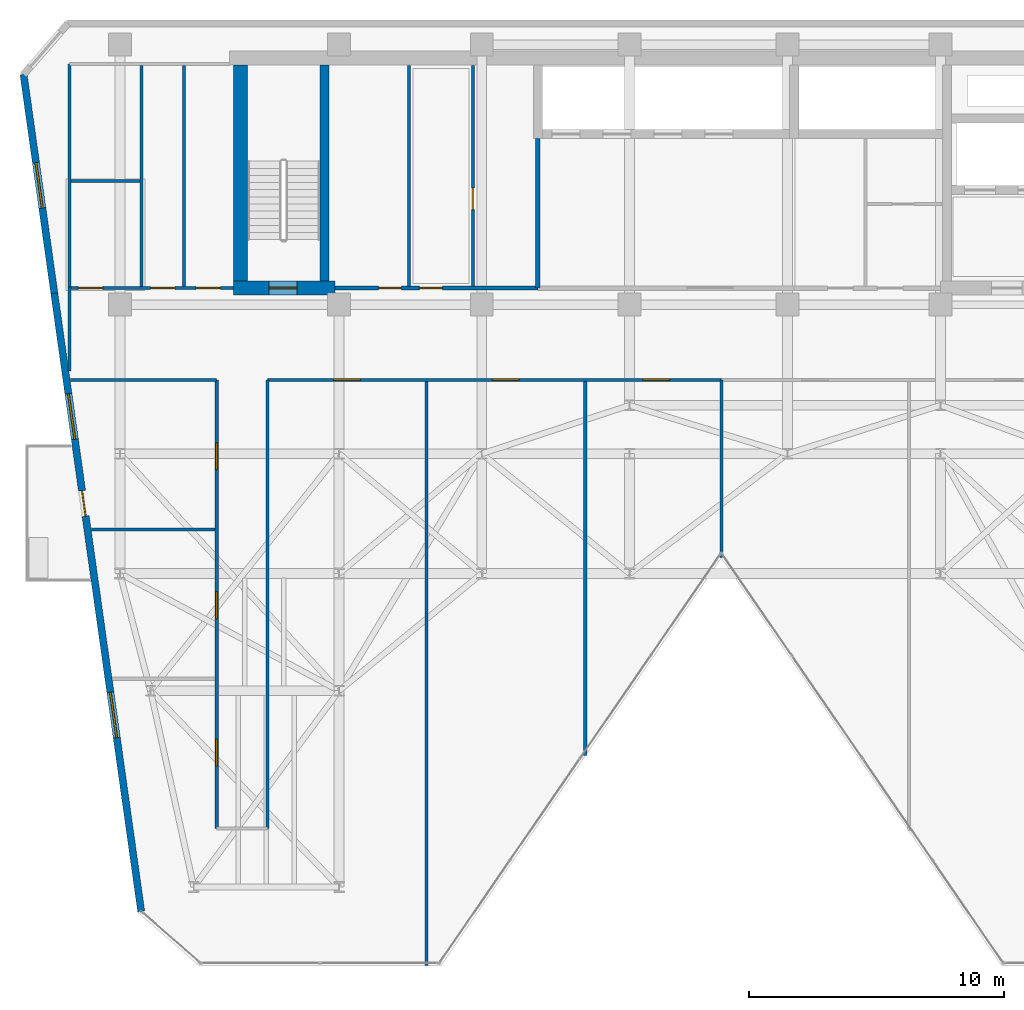
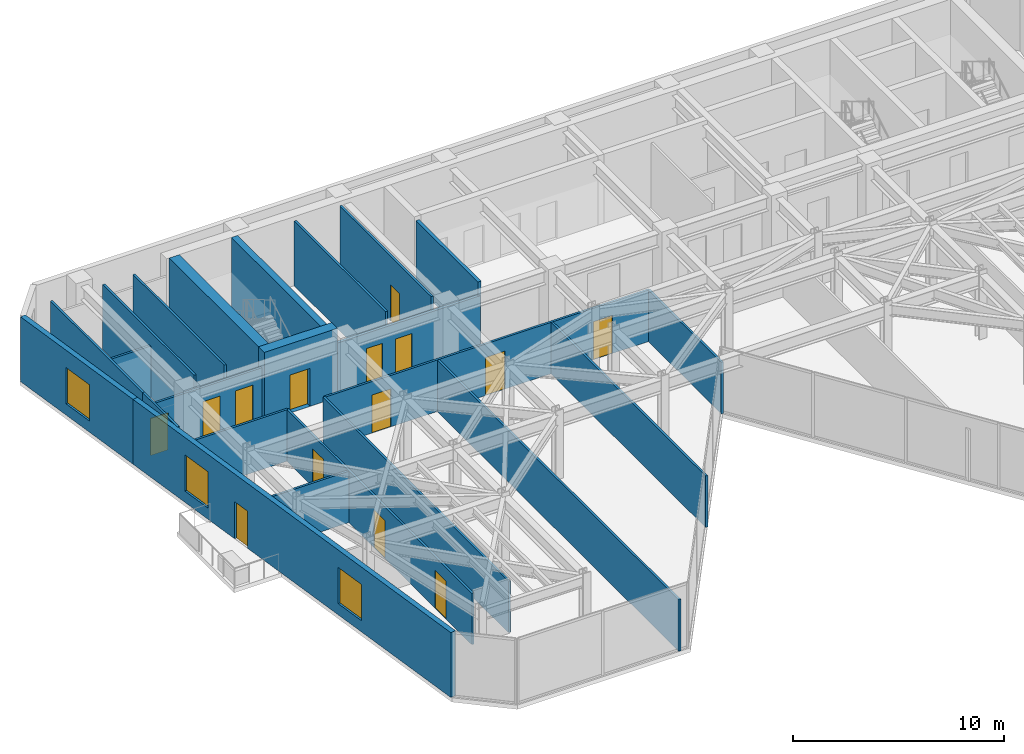
# One storey, part 16 of 21: 23 walls, 14 doors, 3 windows, 17 openings.
"""IFC4 building model written with IfcOpenShell, lengths in metres."""

from ifc_helpers import new_model, si_unit, direction, frame, frame_2d, origin, place, context, subcontext, project, spatial, rectangle, extrude, material, layer, layer_set, type_object, element, fill, save


model = new_model("IFC4")

# Units and contexts
model_context = context("Model", 3, precision=1e-05, world=origin(), true_north=direction((0.0, 1.0)))
body_context = subcontext(model_context, "Body", "Model", "MODEL_VIEW")
ifc_project = project(units=[si_unit("LENGTHUNIT", "METRE"), si_unit("AREAUNIT", "SQUARE_METRE"), si_unit("VOLUMEUNIT", "CUBIC_METRE"), si_unit("PLANEANGLEUNIT", "RADIAN"), si_unit("MASSUNIT", "GRAM", prefix="KILO")], contexts=[model_context])

# Site, building, storey
site_placement = place(None, origin())
site = spatial("IfcSite", under=ifc_project, at=site_placement, CompositionType="ELEMENT")
building_placement = place(site_placement, origin())
building = spatial("IfcBuilding", under=site, at=building_placement, Name="Kravanh Interchange Tower", CompositionType="ELEMENT")
storey_placement = place(building_placement, frame((0.0, 0.0, 192.5)))
storey = spatial("IfcBuildingStorey", under=building, at=storey_placement, Name="L46", CompositionType="ELEMENT", Elevation=192.5)

# Wall
ifc_material_1 = material(Name="Double Acoustic Gypsum Board and Mineral Wool")
ifc_layer_1 = layer(ifc_material_1, 0.1201171875)
ifc_layer_set_1 = layer_set([ifc_layer_1], Name="Acoustic Office Drywall Partition 120mm")
wall_type_1 = type_object("IfcWallType", Name="Acoustic Office Drywall Partition 120mm", PredefinedType="PARTITIONING", material=ifc_layer_set_1)
wall_1_placement = place(storey_placement, frame((29.949951171875, 38.068115234375, 0.0), z_axis=(0.0, 0.0, 1.0), x_axis=(0.0, 1.0, 0.0)))
element("IfcWall", 1, at=wall_1_placement, inside=storey, type_object=wall_type_1, Name="L46 Interior Partition 6", PredefinedType="PARTITIONING", context=body_context, shape_type="SweptSolid", body=[
    extrude(rectangle(XDim=8.673828125, YDim=0.1201171875, at=frame_2d((4.3369140625, 0.0))), origin(), (0.0, 0.0, 1.0), 3.7548828125),
])

# Wall, opening, door
wall_2_placement = place(storey_placement, frame((32.449951171875, 38.068115234375, 0.0), z_axis=(0.0, 0.0, 1.0), x_axis=(0.0, 1.0, 0.0)))
wall_2 = element("IfcWall", 2, at=wall_2_placement, inside=storey, type_object=wall_type_1, Name="L46 Interior Partition 7", PredefinedType="PARTITIONING", context=body_context, shape_type="SweptSolid", body=[
    extrude(rectangle(XDim=8.673828125, YDim=0.1201171875, at=frame_2d((4.3369140625, 0.0))), origin(), (0.0, 0.0, 1.0), 3.7548828125),
])
opening_1_placement = place(wall_2_placement, frame((3.007080078125, 0.0, 0.0)))
opening_1 = element("IfcOpeningElement", 3, at=opening_1_placement, cuts=wall_2, Name="Opening D-85", PredefinedType="OPENING", context=body_context, shape_type="SweptSolid", body=[
    extrude(rectangle(XDim=0.85009765625, YDim=2.10009765625, at=frame_2d((0.425048828125, 1.050048828125))), frame((0.0, 0.070068359375, 0.0), z_axis=(0.0, -1.0, 0.0), x_axis=(1.0, 0.0, 0.0)), (0.0, 0.0, 1.0), 0.14013671875),
])
ifc_material_2 = material(Name="Engineered Teak Veneer Timber", Category="wood")
door_type_1 = type_object("IfcDoorType", Name="En-Suite Timber Door 850x2100", OperationType="NOTDEFINED", PredefinedType="DOOR", material=ifc_material_2)
door_1_placement = place(opening_1_placement, origin())
door_1 = element("IfcDoor", 4, at=door_1_placement, inside=storey, type_object=door_type_1, Name="L46 Supply Room Inner Door", OperationType="SINGLE_SWING_LEFT", OverallHeight=2.10009765625, OverallWidth=0.85009765625, PredefinedType="DOOR", context=body_context, shape_type="SweptSolid", body=[
    extrude(rectangle(XDim=0.85009765625, YDim=2.10009765625, at=frame_2d((0.425048828125, 1.050048828125))), frame((0.0, 0.02490234375, 0.0), z_axis=(0.0, -1.0, 0.0), x_axis=(1.0, 0.0, 0.0)), (0.0, 0.0, 1.0), 0.050048828125),
])
fill(opening_1, door_1)

# Wall, openings, doors
wall_3_placement = place(storey_placement, frame((16.6201171875, 38.0, 0.0), z_axis=(0.0, 0.0, 1.0), x_axis=(1.0, 0.0, 0.0)))
wall_3 = element("IfcWall", 5, at=wall_3_placement, inside=storey, type_object=wall_type_1, Name="L46 Restroom Corridor Wall 9", PredefinedType="PARTITIONING", context=body_context, shape_type="SweptSolid", body=[
    extrude(rectangle(XDim=6.429931640625, YDim=0.1201171875, at=frame_2d((3.21484375, 0.0))), origin(), (0.0, 0.0, 1.0), 2.98193359375),
])
opening_2_placement = place(wall_3_placement, frame((0.348876953125, 0.0, 0.0)))
opening_2 = element("IfcOpeningElement", 6, at=opening_2_placement, cuts=wall_3, Name="Opening D-95", PredefinedType="OPENING", context=body_context, shape_type="SweptSolid", body=[
    extrude(rectangle(XDim=0.949951171875, YDim=2.14990234375, at=frame_2d((0.47509765625, 1.074951171875))), frame((0.0, 0.070068359375, 0.0), z_axis=(0.0, -1.0, 0.0), x_axis=(1.0, 0.0, 0.0)), (0.0, 0.0, 1.0), 0.14013671875),
])
opening_3_placement = place(wall_3_placement, frame((3.18505859375, 0.0, 0.0)))
opening_3 = element("IfcOpeningElement", 7, at=opening_3_placement, cuts=wall_3, Name="Opening D-95", PredefinedType="OPENING", context=body_context, shape_type="SweptSolid", body=[
    extrude(rectangle(XDim=0.949951171875, YDim=2.14990234375, at=frame_2d((0.47509765625, 1.074951171875))), frame((0.0, 0.070068359375, 0.0), z_axis=(0.0, -1.0, 0.0), x_axis=(1.0, 0.0, 0.0)), (0.0, 0.0, 1.0), 0.14013671875),
])
opening_4_placement = place(wall_3_placement, frame((4.97509765625, 0.0, 0.0)))
opening_4 = element("IfcOpeningElement", 8, at=opening_4_placement, cuts=wall_3, Name="Opening D-95", PredefinedType="OPENING", context=body_context, shape_type="SweptSolid", body=[
    extrude(rectangle(XDim=0.949951171875, YDim=2.14990234375, at=frame_2d((0.47509765625, 1.074951171875))), frame((0.0, 0.070068359375, 0.0), z_axis=(0.0, -1.0, 0.0), x_axis=(1.0, 0.0, 0.0)), (0.0, 0.0, 1.0), 0.14013671875),
])
ifc_material_3 = material(Name="Laminate Solid-Core Timber", Category="wood")
door_type_2 = type_object("IfcDoorType", Name="Accessible Restroom Door 950x2150", OperationType="NOTDEFINED", PredefinedType="DOOR", material=ifc_material_3)
door_2_placement = place(opening_2_placement, origin())
door_2 = element("IfcDoor", 9, at=door_2_placement, inside=storey, type_object=door_type_2, Name="L46 Accessible WC Door", OperationType="SINGLE_SWING_RIGHT", OverallHeight=2.14990234375, OverallWidth=0.949951171875, PredefinedType="DOOR", context=body_context, shape_type="SweptSolid", body=[
    extrude(rectangle(XDim=0.949951171875, YDim=2.14990234375, at=frame_2d((0.47509765625, 1.074951171875))), frame((0.0, 0.02490234375, 0.0), z_axis=(0.0, -1.0, 0.0), x_axis=(1.0, 0.0, 0.0)), (0.0, 0.0, 1.0), 0.050048828125),
])
fill(opening_2, door_2)
door_3_placement = place(opening_3_placement, origin())
door_3 = element("IfcDoor", 10, at=door_3_placement, inside=storey, type_object=door_type_2, Name="L46 Female WC Door", OperationType="SINGLE_SWING_LEFT", OverallHeight=2.14990234375, OverallWidth=0.949951171875, PredefinedType="DOOR", context=body_context, shape_type="SweptSolid", body=[
    extrude(rectangle(XDim=0.949951171875, YDim=2.14990234375, at=frame_2d((0.47509765625, 1.074951171875))), frame((0.0, 0.02490234375, 0.0), z_axis=(0.0, -1.0, 0.0), x_axis=(1.0, 0.0, 0.0)), (0.0, 0.0, 1.0), 0.050048828125),
])
fill(opening_3, door_3)
door_4_placement = place(opening_4_placement, origin())
door_4 = element("IfcDoor", 11, at=door_4_placement, inside=storey, type_object=door_type_2, Name="L46 Male WC Door", OperationType="SINGLE_SWING_RIGHT", OverallHeight=2.14990234375, OverallWidth=0.949951171875, PredefinedType="DOOR", context=body_context, shape_type="SweptSolid", body=[
    extrude(rectangle(XDim=0.949951171875, YDim=2.14990234375, at=frame_2d((0.47509765625, 1.074951171875))), frame((0.0, 0.02490234375, 0.0), z_axis=(0.0, -1.0, 0.0), x_axis=(1.0, 0.0, 0.0)), (0.0, 0.0, 1.0), 0.050048828125),
])
fill(opening_4, door_4)

# Walls
wall_4_placement = place(storey_placement, frame((16.6201171875, 38.0, 0.0), z_axis=(0.0, 0.0, 1.0), x_axis=(0.0, 1.0, 0.0)))
element("IfcWall", 12, at=wall_4_placement, inside=storey, type_object=wall_type_1, Name="L46 Restroom West Enclosure 10", PredefinedType="PARTITIONING", context=body_context, shape_type="SweptSolid", body=[
    extrude(rectangle(XDim=8.800048828125, YDim=0.1201171875, at=frame_2d((4.39990234375, 0.0))), origin(), (0.0, 0.0, 1.0), 3.7548828125),
])
for number, where, z_axis, x_axis, name in (
    (13, (19.449951171875, 38.068115234375, 0.0), (0.0, 0.0, 1.0), (0.0, 1.0, 0.0), "L46 Interior Partition 12"),
    (14, (21.110107421875, 38.068115234375, 0.0), (0.0, 0.0, 1.0), (0.0, 1.0, 0.0), "L46 Interior Partition 13"),
):
    element("IfcWall", number, at=place(storey_placement, frame(where, z_axis=z_axis, x_axis=x_axis)), inside=storey, type_object=wall_type_1, Name=name, PredefinedType="PARTITIONING", context=body_context, shape_type="SweptSolid", body=[
        extrude(rectangle(XDim=8.663818359375, YDim=0.1201171875, at=frame_2d((4.33203125, 0.0))), origin(), (0.0, 0.0, 1.0), 3.7548828125),
    ])
wall_5_placement = place(storey_placement, frame((16.68798828125, 42.199951171875, 0.0), z_axis=(0.0, 0.0, 1.0), x_axis=(1.0, 0.0, 0.0)))
element("IfcWall", 15, at=wall_5_placement, inside=storey, type_object=wall_type_1, Name="L46 Interior Partition 14", PredefinedType="PARTITIONING", context=body_context, shape_type="SweptSolid", body=[
    extrude(rectangle(XDim=2.694091796875, YDim=0.1201171875, at=frame_2d((1.34716796875, 0.0))), origin(), (0.0, 0.0, 1.0), 2.98193359375),
])
wall_6_placement = place(storey_placement, frame((16.66943359375, 34.39990234375, 0.0), z_axis=(0.0, 0.0, 1.0), x_axis=(1.0, 0.0, 0.0)))
element("IfcWall", 16, at=wall_6_placement, inside=storey, type_object=wall_type_1, Name="L46 Interior Partition 15", PredefinedType="PARTITIONING", context=body_context, shape_type="SweptSolid", body=[
    extrude(rectangle(XDim=5.73046875, YDim=0.1201171875, at=frame_2d((2.865234375, 0.0))), origin(), (0.0, 0.0, 1.0), 2.98193359375),
])

# Wall, openings, doors
wall_7_placement = place(storey_placement, frame((24.39990234375, 34.39990234375, 0.0), z_axis=(0.0, 0.0, 1.0), x_axis=(1.0, 0.0, 0.0)))
wall_7 = element("IfcWall", 17, at=wall_7_placement, inside=storey, type_object=wall_type_1, Name="L46 Interior Partition 16", PredefinedType="PARTITIONING", context=body_context, shape_type="SweptSolid", body=[
    extrude(rectangle(XDim=17.800048828125, YDim=0.1201171875, at=frame_2d((8.89990234375, 0.0))), origin(), (0.0, 0.0, 1.0), 2.98193359375),
])
opening_5_placement = place(wall_7_placement, frame((2.590087890625, 0.0, 0.0)))
opening_5 = element("IfcOpeningElement", 18, at=opening_5_placement, cuts=wall_7, Name="Opening D-105", PredefinedType="OPENING", context=body_context, shape_type="SweptSolid", body=[
    extrude(rectangle(XDim=1.050048828125, YDim=2.199951171875, at=frame_2d((0.52490234375, 1.10009765625))), frame((0.0, 0.070068359375, 0.0), z_axis=(0.0, -1.0, 0.0), x_axis=(1.0, 0.0, 0.0)), (0.0, 0.0, 1.0), 0.14013671875),
])
opening_6_placement = place(wall_7_placement, frame((8.820068359375, 0.0, 0.0)))
opening_6 = element("IfcOpeningElement", 19, at=opening_6_placement, cuts=wall_7, Name="Opening D-105", PredefinedType="OPENING", context=body_context, shape_type="SweptSolid", body=[
    extrude(rectangle(XDim=1.050048828125, YDim=2.199951171875, at=frame_2d((0.52490234375, 1.10009765625))), frame((0.0, 0.070068359375, 0.0), z_axis=(0.0, -1.0, 0.0), x_axis=(1.0, 0.0, 0.0)), (0.0, 0.0, 1.0), 0.14013671875),
])
opening_7_placement = place(wall_7_placement, frame((14.72607421875, 0.0, 0.0)))
opening_7 = element("IfcOpeningElement", 20, at=opening_7_placement, cuts=wall_7, Name="Opening D-105", PredefinedType="OPENING", context=body_context, shape_type="SweptSolid", body=[
    extrude(rectangle(XDim=1.050048828125, YDim=2.199951171875, at=frame_2d((0.52490234375, 1.10009765625))), frame((0.0, 0.070068359375, 0.0), z_axis=(0.0, -1.0, 0.0), x_axis=(1.0, 0.0, 0.0)), (0.0, 0.0, 1.0), 0.14013671875),
])
ifc_material_4 = material(Name="Acoustic Glazed Oak and Aluminium", Category="aluminium")
door_type_3 = type_object("IfcDoorType", Name="Office Workplace Door 1050x2200", OperationType="NOTDEFINED", PredefinedType="DOOR", material=ifc_material_4)
door_5_placement = place(opening_5_placement, origin())
door_5 = element("IfcDoor", 21, at=door_5_placement, inside=storey, type_object=door_type_3, Name="L46 Meeting Room 11A Door", OperationType="SINGLE_SWING_RIGHT", OverallHeight=2.199951171875, OverallWidth=1.050048828125, PredefinedType="DOOR", context=body_context, shape_type="SweptSolid", body=[
    extrude(rectangle(XDim=1.050048828125, YDim=2.199951171875, at=frame_2d((0.52490234375, 1.10009765625))), frame((0.0, 0.02490234375, 0.0), z_axis=(0.0, -1.0, 0.0), x_axis=(1.0, 0.0, 0.0)), (0.0, 0.0, 1.0), 0.050048828125),
])
fill(opening_5, door_5)
door_6_placement = place(opening_6_placement, origin())
door_6 = element("IfcDoor", 22, at=door_6_placement, inside=storey, type_object=door_type_3, Name="L46 Meeting Room 11B Door", OperationType="SINGLE_SWING_LEFT", OverallHeight=2.199951171875, OverallWidth=1.050048828125, PredefinedType="DOOR", context=body_context, shape_type="SweptSolid", body=[
    extrude(rectangle(XDim=1.050048828125, YDim=2.199951171875, at=frame_2d((0.52490234375, 1.10009765625))), frame((0.0, 0.02490234375, 0.0), z_axis=(0.0, -1.0, 0.0), x_axis=(1.0, 0.0, 0.0)), (0.0, 0.0, 1.0), 0.050048828125),
])
fill(opening_6, door_6)
door_7_placement = place(opening_7_placement, origin())
door_7 = element("IfcDoor", 23, at=door_7_placement, inside=storey, type_object=door_type_3, Name="L46 Townhall Lounge 11A Door", OperationType="SINGLE_SWING_RIGHT", OverallHeight=2.199951171875, OverallWidth=1.050048828125, PredefinedType="DOOR", context=body_context, shape_type="SweptSolid", body=[
    extrude(rectangle(XDim=1.050048828125, YDim=2.199951171875, at=frame_2d((0.52490234375, 1.10009765625))), frame((0.0, 0.02490234375, 0.0), z_axis=(0.0, -1.0, 0.0), x_axis=(1.0, 0.0, 0.0)), (0.0, 0.0, 1.0), 0.050048828125),
])
fill(opening_7, door_7)

# Wall
wall_8_placement = place(storey_placement, frame((16.6201171875, 34.751953125, 0.0), z_axis=(0.0, 0.0, 1.0), x_axis=(0.0, 1.0, 0.0)))
element("IfcWall", 24, at=wall_8_placement, inside=storey, type_object=wall_type_1, Name="L46 Interior Partition 18", PredefinedType="PARTITIONING", context=body_context, shape_type="SweptSolid", body=[
    extrude(rectangle(XDim=3.298095703125, YDim=0.1201171875, at=frame_2d((1.64892578125, 0.0))), origin(), (0.0, 0.0, 1.0), 3.7548828125),
])

# Wall, openings, doors
wall_9_placement = place(storey_placement, frame((22.39990234375, 16.800048828125, 0.0), z_axis=(0.0, 0.0, 1.0), x_axis=(0.0, 1.0, 0.0)))
wall_9 = element("IfcWall", 25, at=wall_9_placement, inside=storey, type_object=wall_type_1, Name="L46 Interior Partition 20", PredefinedType="PARTITIONING", context=body_context, shape_type="SweptSolid", body=[
    extrude(rectangle(XDim=17.599853515625, YDim=0.1201171875, at=frame_2d((8.7998046875, 0.0))), origin(), (0.0, 0.0, 1.0), 2.98193359375),
])
opening_8_placement = place(wall_9_placement, frame((2.450439453125, 0.0, 0.0)))
opening_8 = element("IfcOpeningElement", 26, at=opening_8_placement, cuts=wall_9, Name="Opening D-105", PredefinedType="OPENING", context=body_context, shape_type="SweptSolid", body=[
    extrude(rectangle(XDim=1.050048828125, YDim=2.199951171875, at=frame_2d((0.52490234375, 1.10009765625))), frame((0.0, 0.070068359375, 0.0), z_axis=(0.0, -1.0, 0.0), x_axis=(1.0, 0.0, 0.0)), (0.0, 0.0, 1.0), 0.14013671875),
])
opening_9_placement = place(wall_9_placement, frame((8.234619140625, 0.0, 0.0)))
opening_9 = element("IfcOpeningElement", 27, at=opening_9_placement, cuts=wall_9, Name="Opening D-105", PredefinedType="OPENING", context=body_context, shape_type="SweptSolid", body=[
    extrude(rectangle(XDim=1.050048828125, YDim=2.199951171875, at=frame_2d((0.52490234375, 1.10009765625))), frame((0.0, 0.070068359375, 0.0), z_axis=(0.0, -1.0, 0.0), x_axis=(1.0, 0.0, 0.0)), (0.0, 0.0, 1.0), 0.14013671875),
])
opening_10_placement = place(wall_9_placement, frame((14.074951171875, 0.0, 0.0)))
opening_10 = element("IfcOpeningElement", 28, at=opening_10_placement, cuts=wall_9, Name="Opening D-105", PredefinedType="OPENING", context=body_context, shape_type="SweptSolid", body=[
    extrude(rectangle(XDim=1.050048828125, YDim=2.199951171875, at=frame_2d((0.52490234375, 1.10009765625))), frame((0.0, 0.070068359375, 0.0), z_axis=(0.0, -1.0, 0.0), x_axis=(1.0, 0.0, 0.0)), (0.0, 0.0, 1.0), 0.14013671875),
])
door_8_placement = place(opening_8_placement, origin())
door_8 = element("IfcDoor", 29, at=door_8_placement, inside=storey, type_object=door_type_3, Name="L46 SW Seminar Meeting 11E Door", OperationType="SINGLE_SWING_LEFT", OverallHeight=2.199951171875, OverallWidth=1.050048828125, PredefinedType="DOOR", context=body_context, shape_type="SweptSolid", body=[
    extrude(rectangle(XDim=1.050048828125, YDim=2.199951171875, at=frame_2d((0.52490234375, 1.10009765625))), frame((0.0, 0.02490234375, 0.0), z_axis=(0.0, -1.0, 0.0), x_axis=(1.0, 0.0, 0.0)), (0.0, 0.0, 1.0), 0.050048828125),
])
fill(opening_8, door_8)
door_9_placement = place(opening_9_placement, origin())
door_9 = element("IfcDoor", 30, at=door_9_placement, inside=storey, type_object=door_type_3, Name="L46 West Boardroom 11F Door", OperationType="SINGLE_SWING_RIGHT", OverallHeight=2.199951171875, OverallWidth=1.050048828125, PredefinedType="DOOR", context=body_context, shape_type="SweptSolid", body=[
    extrude(rectangle(XDim=1.050048828125, YDim=2.199951171875, at=frame_2d((0.52490234375, 1.10009765625))), frame((0.0, 0.02490234375, 0.0), z_axis=(0.0, -1.0, 0.0), x_axis=(1.0, 0.0, 0.0)), (0.0, 0.0, 1.0), 0.050048828125),
])
fill(opening_9, door_9)
door_10_placement = place(opening_10_placement, origin())
door_10 = element("IfcDoor", 31, at=door_10_placement, inside=storey, type_object=door_type_3, Name="L46 Tea Kitchenette Door", OperationType="SINGLE_SWING_LEFT", OverallHeight=2.199951171875, OverallWidth=1.050048828125, PredefinedType="DOOR", context=body_context, shape_type="SweptSolid", body=[
    extrude(rectangle(XDim=1.050048828125, YDim=2.199951171875, at=frame_2d((0.52490234375, 1.10009765625))), frame((0.0, 0.02490234375, 0.0), z_axis=(0.0, -1.0, 0.0), x_axis=(1.0, 0.0, 0.0)), (0.0, 0.0, 1.0), 0.050048828125),
])
fill(opening_10, door_10)

# Walls
wall_10_placement = place(storey_placement, frame((24.39990234375, 16.800048828125, 0.0), z_axis=(0.0, 0.0, 1.0), x_axis=(0.0, 1.0, 0.0)))
element("IfcWall", 32, at=wall_10_placement, inside=storey, type_object=wall_type_1, Name="L46 Interior Partition 21", PredefinedType="PARTITIONING", context=body_context, shape_type="SweptSolid", body=[
    extrude(rectangle(XDim=17.599853515625, YDim=0.1201171875, at=frame_2d((8.7998046875, 0.0))), origin(), (0.0, 0.0, 1.0), 2.98193359375),
])
wall_11_placement = place(storey_placement, frame((17.494384765625, 28.530029296875, 0.0), z_axis=(0.0, 0.0, 1.0), x_axis=(1.0, 0.0, 0.0)))
element("IfcWall", 33, at=wall_11_placement, inside=storey, type_object=wall_type_1, Name="L46 Interior Partition 24", PredefinedType="PARTITIONING", context=body_context, shape_type="SweptSolid", body=[
    extrude(rectangle(XDim=4.837646484375, YDim=0.1201171875, at=frame_2d((2.4189453125, 0.0))), origin(), (0.0, 0.0, 1.0), 2.98193359375),
])
wall_12_placement = place(storey_placement, frame((42.199951171875, 27.426513671875, 0.0), z_axis=(0.0, 0.0, 1.0), x_axis=(0.0, 1.0, 0.0)))
element("IfcWall", 34, at=wall_12_placement, inside=storey, type_object=wall_type_1, Name="L46 Interior Partition 25", PredefinedType="PARTITIONING", context=body_context, shape_type="SweptSolid", body=[
    extrude(rectangle(XDim=6.973388671875, YDim=0.1201171875, at=frame_2d((3.48681640625, 0.0))), origin(), (0.0, 0.0, 1.0), 2.98193359375),
])
wall_13_placement = place(storey_placement, frame((30.6298828125, 11.4150390625, 0.0), z_axis=(0.0, 0.0, 1.0), x_axis=(0.0, 1.0, 0.0)))
element("IfcWall", 35, at=wall_13_placement, inside=storey, type_object=wall_type_1, Name="L46 Interior Partition 26", PredefinedType="PARTITIONING", context=body_context, shape_type="SweptSolid", body=[
    extrude(rectangle(XDim=22.9169921875, YDim=0.1201171875, at=frame_2d((11.45849609375, 0.0))), origin(), (0.0, 0.0, 1.0), 2.98193359375),
])
wall_14_placement = place(storey_placement, frame((36.860107421875, 19.6591796875, 0.0), z_axis=(0.0, 0.0, 1.0), x_axis=(0.0, 1.0, 0.0)))
element("IfcWall", 36, at=wall_14_placement, inside=storey, type_object=wall_type_1, Name="L46 Interior Partition 27", PredefinedType="PARTITIONING", context=body_context, shape_type="SweptSolid", body=[
    extrude(rectangle(XDim=14.6728515625, YDim=0.1201171875, at=frame_2d((7.33642578125, 0.0))), origin(), (0.0, 0.0, 1.0), 2.98193359375),
])
ifc_material_5 = material(Name="Concrete C60/75", Category="concrete")
ifc_layer_2 = layer(ifc_material_5, 0.35009765625)
ifc_layer_set_2 = layer_set([ifc_layer_2], Name="Core Shear Wall Concrete C60/75 350mm")
wall_type_2 = type_object("IfcWallType", Name="Core Shear Wall Concrete C60/75 350mm", PredefinedType="SHEAR", material=ifc_layer_set_2)
wall_15_placement = place(storey_placement, frame((26.625, 38.27490234375, 0.0), z_axis=(0.0, 0.0, 1.0), x_axis=(0.0, 1.0, 0.0)))
element("IfcWall", 37, at=wall_15_placement, inside=storey, type_object=wall_type_2, Name="L46 Stair ST3 East Shear Wall", PredefinedType="SHEAR", context=body_context, shape_type="SweptSolid", body=[
    extrude(rectangle(XDim=8.47509765625, YDim=0.35009765625, at=frame_2d((4.237548828125, 0.0))), origin(), (0.0, 0.0, 1.0), 4.0),
])

# Wall, opening, door
ifc_material_6 = material(Name="Concrete C70/85", Category="concrete")
ifc_layer_3 = layer(ifc_material_6, 0.550048828125)
ifc_layer_set_3 = layer_set([ifc_layer_3], Name="Core Shear Wall Concrete C70/85 550mm")
wall_type_3 = type_object("IfcWallType", Name="Core Shear Wall Concrete C70/85 550mm", PredefinedType="SHEAR", material=ifc_layer_set_3)
wall_16_placement = place(storey_placement, frame((23.050048828125, 38.0, 0.0), z_axis=(0.0, 0.0, 1.0), x_axis=(1.0, 0.0, 0.0)))
wall_16 = element("IfcWall", 38, at=wall_16_placement, inside=storey, type_object=wall_type_3, Name="L46 Stair ST3 South Shear Wall", PredefinedType="SHEAR", context=body_context, shape_type="SweptSolid", body=[
    extrude(rectangle(XDim=4.0, YDim=0.550048828125, at=frame_2d((2.0, 0.0))), origin(), (0.0, 0.0, 1.0), 4.0),
])
opening_11_placement = place(wall_16_placement, frame((1.39990234375, 0.0, 0.0)))
opening_11 = element("IfcOpeningElement", 39, at=opening_11_placement, cuts=wall_16, Name="Opening D-STAIR-110", PredefinedType="OPENING", context=body_context, shape_type="SweptSolid", body=[
    extrude(rectangle(XDim=1.10009765625, YDim=2.199951171875, at=frame_2d((0.550048828125, 1.10009765625))), frame((0.0, 0.28515625, 0.0), z_axis=(0.0, -1.0, 0.0), x_axis=(1.0, 0.0, 0.0)), (0.0, 0.0, 1.0), 0.570068359375),
])
ifc_material_7 = material(Name="Structural Steel S355", Category="steel")
door_type_4 = type_object("IfcDoorType", Name="Fire-Rated Exit Stair Door 1100x2200", OperationType="NOTDEFINED", PredefinedType="DOOR", material=ifc_material_7)
door_11_placement = place(opening_11_placement, origin())
door_11 = element("IfcDoor", 40, at=door_11_placement, inside=storey, type_object=door_type_4, Name="L46 Exit Stair ST3 Door", OperationType="SINGLE_SWING_RIGHT", OverallHeight=2.199951171875, OverallWidth=1.10009765625, PredefinedType="DOOR", context=body_context, shape_type="SweptSolid", body=[
    extrude(rectangle(XDim=1.10009765625, YDim=2.199951171875, at=frame_2d((0.550048828125, 1.10009765625))), frame((0.0, 0.02490234375, 0.0), z_axis=(0.0, -1.0, 0.0), x_axis=(1.0, 0.0, 0.0)), (0.0, 0.0, 1.0), 0.050048828125),
])
fill(opening_11, door_11)

# Wall
wall_17_placement = place(storey_placement, frame((23.324951171875, 38.27490234375, 0.0), z_axis=(0.0, 0.0, 1.0), x_axis=(0.0, 1.0, 0.0)))
element("IfcWall", 41, at=wall_17_placement, inside=storey, type_object=wall_type_3, Name="L46 Stair ST3 West Shear Wall", PredefinedType="SHEAR", context=body_context, shape_type="SweptSolid", body=[
    extrude(rectangle(XDim=8.47509765625, YDim=0.550048828125, at=frame_2d((4.237548828125, 0.0))), origin(), (0.0, 0.0, 1.0), 4.0),
])

# Wall, openings, door, windows
ifc_material_8 = material(Name="Insulated Precast Concrete C40/50 with Bronze Cladding", Category="concrete")
ifc_layer_4 = layer(ifc_material_8, 0.280029296875)
ifc_layer_set_4 = layer_set([ifc_layer_4], Name="Exterior Insulated Concrete C40/50 Bronze Spandrel Wall 280mm")
wall_type_4 = type_object("IfcWallType", Name="Exterior Insulated Concrete C40/50 Bronze Spandrel Wall 280mm", PredefinedType="STANDARD", material=ifc_layer_set_4)
wall_18_placement = place(storey_placement, frame((19.434326171875, 13.540771484375, 0.0), z_axis=(0.0, 0.0, 1.0), x_axis=(-0.139173290738, 0.99026804207, 0.0)))
wall_18 = element("IfcWall", 42, at=wall_18_placement, inside=storey, type_object=wall_type_4, Name="L46 Exterior Wall 1", PredefinedType="STANDARD", context=body_context, shape_type="SweptSolid", body=[
    extrude(rectangle(XDim=24.497802734375, YDim=0.280029296875, at=frame_2d((12.2490234375, 0.0))), origin(), (0.0, 0.0, 1.0), 3.7548828125),
])
opening_12_placement = place(wall_18_placement, frame((15.668212890625, 0.0, 0.0)))
opening_12 = element("IfcOpeningElement", 43, at=opening_12_placement, cuts=wall_18, Name="Opening ED-BAL100", PredefinedType="OPENING", context=body_context, shape_type="SweptSolid", body=[
    extrude(rectangle(XDim=1.0, YDim=2.14990234375, at=frame_2d((0.5, 1.074951171875))), frame((0.0, 0.14990234375, 0.0), z_axis=(0.0, -1.0, 0.0), x_axis=(1.0, 0.0, 0.0)), (0.0, 0.0, 1.0), 0.300048828125),
])
opening_13_placement = place(wall_18_placement, frame((6.88525390625, 0.0, 0.64990234375)))
opening_13 = element("IfcOpeningElement", 44, at=opening_13_placement, cuts=wall_18, Name="Opening WN-180X210", PredefinedType="OPENING", context=body_context, shape_type="SweptSolid", body=[
    extrude(rectangle(XDim=1.800048828125, YDim=2.10009765625, at=frame_2d((0.89990234375, 1.050048828125))), frame((0.0, 0.14990234375, 0.0), z_axis=(0.0, -1.0, 0.0), x_axis=(1.0, 0.0, 0.0)), (0.0, 0.0, 1.0), 0.300048828125),
])
opening_14_placement = place(wall_18_placement, frame((18.7080078125, 0.0, 0.64990234375)))
opening_14 = element("IfcOpeningElement", 45, at=opening_14_placement, cuts=wall_18, Name="Opening WN-180X210", PredefinedType="OPENING", context=body_context, shape_type="SweptSolid", body=[
    extrude(rectangle(XDim=1.800048828125, YDim=2.10009765625, at=frame_2d((0.89990234375, 1.050048828125))), frame((0.0, 0.14990234375, 0.0), z_axis=(0.0, -1.0, 0.0), x_axis=(1.0, 0.0, 0.0)), (0.0, 0.0, 1.0), 0.300048828125),
])
ifc_material_9 = material(Name="Thermally Broken Bronze Aluminium and Laminated Glass", Category="aluminium")
door_type_5 = type_object("IfcDoorType", Name="Balcony Glazed Door 1000x2150", OperationType="NOTDEFINED", PredefinedType="DOOR", material=ifc_material_9)
door_12_placement = place(opening_12_placement, origin())
door_12 = element("IfcDoor", 46, at=door_12_placement, inside=storey, type_object=door_type_5, Name="L46 W Tree Balcony Access Door", OperationType="SINGLE_SWING_LEFT", OverallHeight=2.14990234375, OverallWidth=1.0, PredefinedType="DOOR", context=body_context, shape_type="SweptSolid", body=[
    extrude(rectangle(XDim=1.0, YDim=2.14990234375, at=frame_2d((0.5, 1.074951171875))), frame((0.0, 0.02490234375, 0.0), z_axis=(0.0, -1.0, 0.0), x_axis=(1.0, 0.0, 0.0)), (0.0, 0.0, 1.0), 0.050048828125),
])
fill(opening_12, door_12)
ifc_material_10 = material(Name="Thermally Broken Bronze Aluminium and Low-E Glass", Category="aluminium")
window_type = type_object("IfcWindowType", Name="Tower Pier Window 1800x2100", PartitioningType="SINGLE_PANEL", PredefinedType="WINDOW", material=ifc_material_10)
window_1_placement = place(opening_13_placement, origin())
window_1 = element("IfcWindow", 47, at=window_1_placement, inside=storey, type_object=window_type, Name="L46 Facade Window 1A", OverallHeight=2.10009765625, OverallWidth=1.800048828125, PartitioningType="SINGLE_PANEL", PredefinedType="WINDOW", context=body_context, shape_type="SweptSolid", body=[
    extrude(rectangle(XDim=1.800048828125, YDim=2.10009765625, at=frame_2d((0.89990234375, 1.050048828125))), frame((0.0, 0.030029296875, 0.0), z_axis=(0.0, -1.0, 0.0), x_axis=(1.0, 0.0, 0.0)), (0.0, 0.0, 1.0), 0.06005859375),
])
fill(opening_13, window_1)
window_2_placement = place(opening_14_placement, origin())
window_2 = element("IfcWindow", 48, at=window_2_placement, inside=storey, type_object=window_type, Name="L46 Facade Window 1B", OverallHeight=2.10009765625, OverallWidth=1.800048828125, PartitioningType="SINGLE_PANEL", PredefinedType="WINDOW", context=body_context, shape_type="SweptSolid", body=[
    extrude(rectangle(XDim=1.800048828125, YDim=2.10009765625, at=frame_2d((0.89990234375, 1.050048828125))), frame((0.0, 0.030029296875, 0.0), z_axis=(0.0, -1.0, 0.0), x_axis=(1.0, 0.0, 0.0)), (0.0, 0.0, 1.0), 0.06005859375),
])
fill(opening_14, window_2)

# Wall, opening, window
wall_19_placement = place(storey_placement, frame((16.02490234375, 37.800048828125, 0.0), z_axis=(0.0, 0.0, 1.0), x_axis=(-0.13918102754, 0.990266954701, 0.0)))
wall_19 = element("IfcWall", 49, at=wall_19_placement, inside=storey, type_object=wall_type_4, Name="L46 Exterior Wall 2", PredefinedType="STANDARD", context=body_context, shape_type="SweptSolid", body=[
    extrude(rectangle(XDim=8.667236328125, YDim=0.280029296875, at=frame_2d((4.33349609375, 0.0))), origin(), (0.0, 0.0, 1.0), 3.7548828125),
])
opening_15_placement = place(wall_19_placement, frame((3.37353515625, 0.0, 0.64990234375)))
opening_15 = element("IfcOpeningElement", 50, at=opening_15_placement, cuts=wall_19, Name="Opening WN-180X210", PredefinedType="OPENING", context=body_context, shape_type="SweptSolid", body=[
    extrude(rectangle(XDim=1.800048828125, YDim=2.10009765625, at=frame_2d((0.89990234375, 1.050048828125))), frame((0.0, 0.14990234375, 0.0), z_axis=(0.0, -1.0, 0.0), x_axis=(1.0, 0.0, 0.0)), (0.0, 0.0, 1.0), 0.300048828125),
])
window_3_placement = place(opening_15_placement, origin())
window_3 = element("IfcWindow", 51, at=window_3_placement, inside=storey, type_object=window_type, Name="L46 Corner Window 2", OverallHeight=2.10009765625, OverallWidth=1.800048828125, PartitioningType="SINGLE_PANEL", PredefinedType="WINDOW", context=body_context, shape_type="SweptSolid", body=[
    extrude(rectangle(XDim=1.800048828125, YDim=2.10009765625, at=frame_2d((0.89990234375, 1.050048828125))), frame((0.0, 0.030029296875, 0.0), z_axis=(0.0, -1.0, 0.0), x_axis=(1.0, 0.0, 0.0)), (0.0, 0.0, 1.0), 0.06005859375),
])
fill(opening_15, window_3)

# Wall
ifc_material_11 = material(Name="Autoclaved Aerated Concrete C30/37 Blockwork", Category="masonry")
ifc_layer_5 = layer(ifc_material_11, 0.179931640625)
ifc_layer_set_5 = layer_set([ifc_layer_5], Name="Fire-Rated Lobby and Corridor Wall Concrete C30/37 180mm")
wall_type_5 = type_object("IfcWallType", Name="Fire-Rated Lobby and Corridor Wall Concrete C30/37 180mm", PredefinedType="STANDARD", material=ifc_layer_set_5)
wall_20_placement = place(storey_placement, frame((35.0, 38.0, 0.0), z_axis=(0.0, 0.0, 1.0), x_axis=(0.0, 1.0, 0.0)))
element("IfcWall", 52, at=wall_20_placement, inside=storey, type_object=wall_type_5, Name="L46 Interior Partition 5", PredefinedType="STANDARD", context=body_context, shape_type="SweptSolid", body=[
    extrude(rectangle(XDim=5.875, YDim=0.179931640625, at=frame_2d((2.9375, 0.0))), origin(), (0.0, 0.0, 1.0), 3.7548828125),
])

# Wall, openings, doors
ifc_material_12 = material(Name="Twin Stud Acoustic Gypsum Board Wall")
ifc_layer_6 = layer(ifc_material_12, 0.14990234375)
ifc_layer_set_6 = layer_set([ifc_layer_6], Name="Medium-Duty Acoustic Partition 150mm")
wall_type_6 = type_object("IfcWallType", Name="Medium-Duty Acoustic Partition 150mm", PredefinedType="PARTITIONING", material=ifc_layer_set_6)
wall_21_placement = place(storey_placement, frame((27.050048828125, 38.0, 0.0), z_axis=(0.0, 0.0, 1.0), x_axis=(1.0, 0.0, 0.0)))
wall_21 = element("IfcWall", 53, at=wall_21_placement, inside=storey, type_object=wall_type_6, Name="L46 Interior Partition 4", PredefinedType="PARTITIONING", context=body_context, shape_type="SweptSolid", body=[
    extrude(rectangle(XDim=7.949951171875, YDim=0.14990234375, at=frame_2d((3.97509765625, 0.0))), origin(), (0.0, 0.0, 1.0), 2.98193359375),
])
opening_16_placement = place(wall_21_placement, frame((1.699951171875, 0.0, 0.0)))
opening_16 = element("IfcOpeningElement", 54, at=opening_16_placement, cuts=wall_21, Name="Opening D-90", PredefinedType="OPENING", context=body_context, shape_type="SweptSolid", body=[
    extrude(rectangle(XDim=0.89990234375, YDim=2.10009765625, at=frame_2d((0.449951171875, 1.050048828125))), frame((0.0, 0.0849609375, 0.0), z_axis=(0.0, -1.0, 0.0), x_axis=(1.0, 0.0, 0.0)), (0.0, 0.0, 1.0), 0.169921875),
])
opening_17_placement = place(wall_21_placement, frame((3.300048828125, 0.0, 0.0)))
opening_17 = element("IfcOpeningElement", 55, at=opening_17_placement, cuts=wall_21, Name="Opening D-90", PredefinedType="OPENING", context=body_context, shape_type="SweptSolid", body=[
    extrude(rectangle(XDim=0.89990234375, YDim=2.10009765625, at=frame_2d((0.449951171875, 1.050048828125))), frame((0.0, 0.0849609375, 0.0), z_axis=(0.0, -1.0, 0.0), x_axis=(1.0, 0.0, 0.0)), (0.0, 0.0, 1.0), 0.169921875),
])
ifc_material_13 = material(Name="Painted Solid-Core Timber", Category="wood")
door_type_6 = type_object("IfcDoorType", Name="Service Room Door 900x2100", OperationType="NOTDEFINED", PredefinedType="DOOR", material=ifc_material_13)
door_13_placement = place(opening_16_placement, origin())
door_13 = element("IfcDoor", 56, at=door_13_placement, inside=storey, type_object=door_type_6, Name="L46 First Aid Lobby Door", OperationType="SINGLE_SWING_LEFT", OverallHeight=2.10009765625, OverallWidth=0.89990234375, PredefinedType="DOOR", context=body_context, shape_type="SweptSolid", body=[
    extrude(rectangle(XDim=0.89990234375, YDim=2.10009765625, at=frame_2d((0.449951171875, 1.050048828125))), frame((0.0, 0.02490234375, 0.0), z_axis=(0.0, -1.0, 0.0), x_axis=(1.0, 0.0, 0.0)), (0.0, 0.0, 1.0), 0.050048828125),
])
fill(opening_16, door_13)
door_14_placement = place(opening_17_placement, origin())
door_14 = element("IfcDoor", 57, at=door_14_placement, inside=storey, type_object=door_type_6, Name="L46 Lactation Suite Door", OperationType="SINGLE_SWING_RIGHT", OverallHeight=2.10009765625, OverallWidth=0.89990234375, PredefinedType="DOOR", context=body_context, shape_type="SweptSolid", body=[
    extrude(rectangle(XDim=0.89990234375, YDim=2.10009765625, at=frame_2d((0.449951171875, 1.050048828125))), frame((0.0, 0.02490234375, 0.0), z_axis=(0.0, -1.0, 0.0), x_axis=(1.0, 0.0, 0.0)), (0.0, 0.0, 1.0), 0.050048828125),
])
fill(opening_17, door_14)

save(model, "model.ifc")
